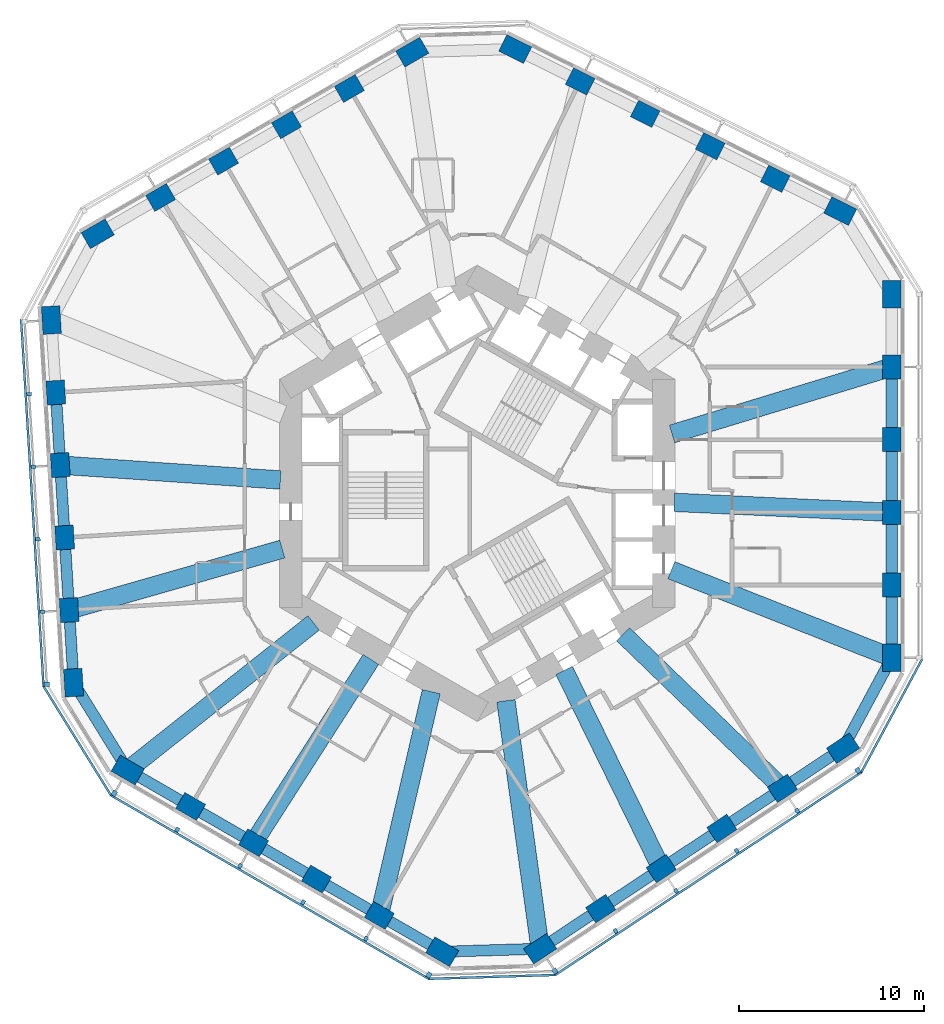
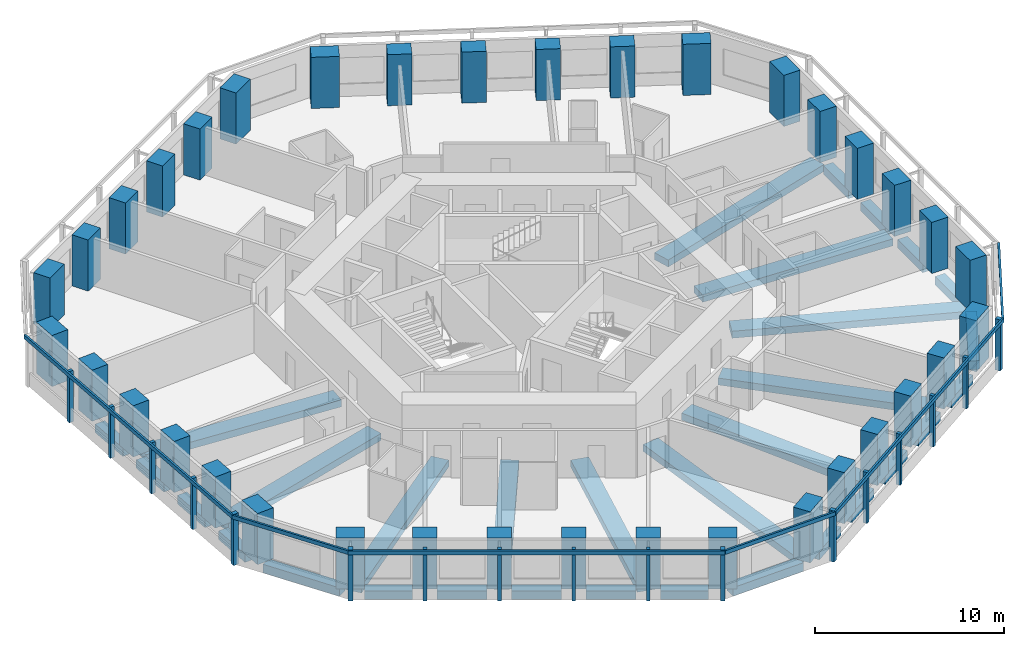
# One storey, part 1 of 12: 36 columns, 32 beams, 23 members, 6 elements without a shape of their own.
"""IFC4 building model written with IfcOpenShell, lengths in metres."""

from ifc_helpers import new_model, si_unit, direction, frame, origin, origin_2d, place, context, subcontext, project, spatial, rectangle, extrude, material, material_profile, profile_set, type_object, element, aggregate, save


model = new_model("IFC4")

# Units and contexts
model_context = context("Model", 3, precision=1e-05, world=origin(), true_north=direction((0.0, 1.0)))
body_context = subcontext(model_context, "Body", "Model", "MODEL_VIEW")
ifc_project = project(units=[si_unit("LENGTHUNIT", "METRE"), si_unit("AREAUNIT", "SQUARE_METRE"), si_unit("VOLUMEUNIT", "CUBIC_METRE"), si_unit("PLANEANGLEUNIT", "RADIAN"), si_unit("MASSUNIT", "GRAM", prefix="KILO")], contexts=[model_context])

# Site, building, storey
site_placement = place(None, origin())
site = spatial("IfcSite", under=ifc_project, at=site_placement, CompositionType="ELEMENT")
building_placement = place(site_placement, origin())
building = spatial("IfcBuilding", under=site, at=building_placement, Name="Vanh Sen Convention Tower", CompositionType="ELEMENT")
storey_placement = place(building_placement, frame((0.0, 0.0, 44.0)))
storey = spatial("IfcBuildingStorey", under=building, at=storey_placement, Name="L07", CompositionType="ELEMENT", Elevation=44.0)

# Columns
ifc_material_1 = material(Name="Concrete C80/95", Category="concrete")
ifc_material_profile_1 = material_profile(ifc_material_1, rectangle(XDim=1.300048828125, YDim=1.0, at=origin_2d()), Name="RC 1300X1000")
ifc_profile_set_1 = profile_set([ifc_material_profile_1], Name="Concrete C80/95")
column_type_1 = type_object("IfcColumnType", Name="Facade column 1300 x 1000 C80/95", PredefinedType="COLUMN", material=ifc_profile_set_1)
for number, where, z_axis, x_axis, name in (
    (1, (22.449951171875, -4.964599609375, 0.0), (0.0, 0.0, 1.0), (0.0, 1.0, 0.0), "Facade column 02 L07"),
    (2, (22.449951171875, -1.030029296875, 0.0), (0.0, 0.0, 1.0), (0.0, 1.0, 0.0), "Facade column 03 L07"),
    (3, (22.449951171875, 2.904541015625, 0.0), (0.0, 0.0, 1.0), (0.0, 1.0, 0.0), "Facade column 04 L07"),
    (4, (22.449951171875, 6.839111328125, 0.0), (0.0, 0.0, 1.0), (0.0, 1.0, 0.0), "Facade column 05 L07"),
    (5, (16.1376953125, 17.039794921875, 0.0), (0.0, 0.0, 1.0), (-0.894934361602, 0.44619781311, 0.0), "Facade column 08 L07"),
    (6, (12.616455078125, 18.79541015625, 0.0), (0.0, 0.0, 1.0), (-0.894934361602, 0.44619781311, 0.0), "Facade column 09 L07"),
    (7, (9.09521484375, 20.55078125, 0.0), (0.0, 0.0, 1.0), (-0.894934361602, 0.44619781311, 0.0), "Facade column 10 L07"),
    (8, (5.57421875, 22.306396484375, 0.0), (0.0, 0.0, 1.0), (-0.894934361602, 0.44619781311, 0.0), "Facade column 11 L07"),
    (9, (-6.925537109375, 21.924560546875, 0.0), (0.0, 0.0, 1.0), (-0.866025403784, -0.5, 0.0), "Facade column 14 L07"),
    (10, (-10.3330078125, 19.957275390625, 0.0), (0.0, 0.0, 1.0), (-0.866025403784, -0.5, 0.0), "Facade column 15 L07"),
    (11, (-13.740478515625, 17.989990234375, 0.0), (0.0, 0.0, 1.0), (-0.866025403784, -0.5, 0.0), "Facade column 16 L07"),
    (12, (-17.14794921875, 16.022705078125, 0.0), (0.0, 0.0, 1.0), (-0.866025403784, -0.5, 0.0), "Facade column 17 L07"),
    (13, (-22.82568359375, 5.455810546875, 0.0), (0.0, 0.0, 1.0), (0.061048539535, -0.998134798422, 0.0), "Facade column 20 L07"),
    (14, (-22.58544921875, 1.528564453125, 0.0), (0.0, 0.0, 1.0), (0.061048539535, -0.998134798422, 0.0), "Facade column 21 L07"),
    (15, (-22.34521484375, -2.398681640625, 0.0), (0.0, 0.0, 1.0), (0.061048539535, -0.998134798422, 0.0), "Facade column 22 L07"),
    (16, (-22.10498046875, -6.325927734375, 0.0), (0.0, 0.0, 1.0), (0.061048539535, -0.998134798422, 0.0), "Facade column 23 L07"),
    (17, (-15.5244140625, -16.9599609375, 0.0), (0.0, 0.0, 1.0), (0.866025403784, -0.5, 0.0), "Facade column 26 L07"),
    (18, (-12.1171875, -18.92724609375, 0.0), (0.0, 0.0, 1.0), (0.866025403784, -0.5, 0.0), "Facade column 27 L07"),
    (19, (-8.709716796875, -20.89453125, 0.0), (0.0, 0.0, 1.0), (0.866025403784, -0.5, 0.0), "Facade column 28 L07"),
    (20, (-5.302001953125, -22.86181640625, 0.0), (0.0, 0.0, 1.0), (0.866025403784, -0.5, 0.0), "Facade column 29 L07"),
    (21, (6.68798828125, -22.49560546875, 0.0), (0.0, 0.0, 1.0), (0.833885822067, 0.551936985312, 0.0), "Facade column 32 L07"),
    (22, (9.968994140625, -20.323974609375, 0.0), (0.0, 0.0, 1.0), (0.833885822067, 0.551936985312, 0.0), "Facade column 33 L07"),
    (23, (13.25, -18.152099609375, 0.0), (0.0, 0.0, 1.0), (0.833885822067, 0.551936985312, 0.0), "Facade column 34 L07"),
    (24, (16.531005859375, -15.980712890625, 0.0), (0.0, 0.0, 1.0), (0.833885822067, 0.551936985312, 0.0), "Facade column 35 L07"),
):
    element("IfcColumn", number, at=place(storey_placement, frame(where, z_axis=z_axis, x_axis=x_axis)), inside=storey, type_object=column_type_1, Name=name, PredefinedType="COLUMN", context=body_context, shape_type="SweptSolid", body=[
        extrude(rectangle(XDim=1.300048828125, YDim=1.0, at=origin_2d()), origin(), (0.0, 0.0, 1.0), 3.300048828125),
    ])
ifc_material_profile_2 = material_profile(ifc_material_1, rectangle(XDim=1.5, YDim=1.0, at=origin_2d()), Name="RC 1500X1000")
ifc_profile_set_2 = profile_set([ifc_material_profile_2], Name="Concrete C80/95")
column_type_2 = type_object("IfcColumnType", Name="Facade corner column 1500 x 1000 C80/95", PredefinedType="COLUMN", material=ifc_profile_set_2)
for number, where, z_axis, x_axis, name in (
    (25, (22.449951171875, -8.899169921875, 0.0), (0.0, 0.0, 1.0), (0.0, 1.0, 0.0), "Facade column 01 L07"),
    (26, (22.449951171875, 10.773681640625, 0.0), (0.0, 0.0, 1.0), (0.0, 1.0, 0.0), "Facade column 06 L07"),
    (27, (19.658935546875, 15.2841796875, 0.0), (0.0, 0.0, 1.0), (-0.894934361602, 0.44619781311, 0.0), "Facade column 07 L07"),
    (28, (2.052978515625, 24.06201171875, 0.0), (0.0, 0.0, 1.0), (-0.894934361602, 0.44619781311, 0.0), "Facade column 12 L07"),
    (29, (-3.51806640625, 23.891845703125, 0.0), (0.0, 0.0, 1.0), (-0.866025403784, -0.5, 0.0), "Facade column 13 L07"),
    (30, (-20.555419921875, 14.055419921875, 0.0), (0.0, 0.0, 1.0), (-0.866025403784, -0.5, 0.0), "Facade column 18 L07"),
    (31, (-23.06591796875, 9.383056640625, 0.0), (0.0, 0.0, 1.0), (0.061048539535, -0.998134798422, 0.0), "Facade column 19 L07"),
    (32, (-21.86474609375, -10.253173828125, 0.0), (0.0, 0.0, 1.0), (0.061048539535, -0.998134798422, 0.0), "Facade column 24 L07"),
    (33, (-18.931884765625, -14.99267578125, 0.0), (0.0, 0.0, 1.0), (0.866025403784, -0.5, 0.0), "Facade column 25 L07"),
    (34, (-1.894775390625, -24.8291015625, 0.0), (0.0, 0.0, 1.0), (0.866025403784, -0.5, 0.0), "Facade column 30 L07"),
    (35, (3.406982421875, -24.6669921875, 0.0), (0.0, 0.0, 1.0), (0.833885822067, 0.551936985312, 0.0), "Facade column 31 L07"),
    (36, (19.81201171875, -13.808837890625, 0.0), (0.0, 0.0, 1.0), (0.833885822067, 0.551936985312, 0.0), "Facade column 36 L07"),
):
    element("IfcColumn", number, at=place(storey_placement, frame(where, z_axis=z_axis, x_axis=x_axis)), inside=storey, type_object=column_type_2, Name=name, PredefinedType="COLUMN", context=body_context, shape_type="SweptSolid", body=[
        extrude(rectangle(XDim=1.5, YDim=1.0, at=origin_2d()), origin(), (0.0, 0.0, 1.0), 3.300048828125),
    ])

# Curtain wall, member
ifc_material_2 = material(Name="Concrete C50/60", Category="concrete")
curtain_wall_type = type_object("IfcCurtainWallType", Name="Outer skin hotel zone", PredefinedType="NOTDEFINED", material=ifc_material_2)
curtain_wall_1_placement = place(storey_placement, origin())
curtain_wall_1 = element("IfcCurtainWall", 37, at=curtain_wall_1_placement, inside=storey, type_object=curtain_wall_type, Name="OUTER SKIN W L07", PredefinedType="NOTDEFINED")
ifc_material_profile_3 = material_profile(ifc_material_2, rectangle(XDim=0.25, YDim=0.300048828125, at=origin_2d()), Name="Outer skin precast corner fin 250 x 300")
ifc_profile_set_3 = profile_set([ifc_material_profile_3], Name="Concrete C50/60")
member_type_1 = type_object("IfcMemberType", Name="Outer skin precast corner fin 250 x 300", PredefinedType="MULLION", material=ifc_profile_set_3)
member_1_placement = place(storey_placement, frame((-23.31201171875, -10.341796875, 0.0), z_axis=(0.0, 0.0, 1.0), x_axis=(0.061048539535, -0.998134798422, 0.0)))
member_1 = element("IfcMember", 38, at=member_1_placement, type_object=member_type_1, Name="OUTER SKIN CORNER FIN 6 W L07", PredefinedType="MULLION", context=body_context, shape_type="SweptSolid", body=[
    extrude(rectangle(XDim=0.25, YDim=0.300048828125, at=origin_2d()), origin(), (0.0, 0.0, 1.0), 3.300048828125),
])

# Curtain wall, members
curtain_wall_2_placement = place(storey_placement, origin())
curtain_wall_2 = element("IfcCurtainWall", 39, at=curtain_wall_2_placement, inside=storey, type_object=curtain_wall_type, Name="OUTER SKIN SW L07", PredefinedType="NOTDEFINED")
member_2_placement = place(storey_placement, frame((-19.656982421875, -16.248291015625, 0.0), z_axis=(0.0, 0.0, 1.0), x_axis=(0.866025403784, -0.5, 0.0)))
member_2 = element("IfcMember", 40, at=member_2_placement, type_object=member_type_1, Name="OUTER SKIN CORNER FIN 1 SW L07", PredefinedType="MULLION", context=body_context, shape_type="SweptSolid", body=[
    extrude(rectangle(XDim=0.25, YDim=0.300048828125, at=origin_2d()), origin(), (0.0, 0.0, 1.0), 3.300048828125),
])
member_3_placement = place(storey_placement, frame((-2.61962890625, -26.084716796875, 0.0), z_axis=(0.0, 0.0, 1.0), x_axis=(0.866025403784, -0.5, 0.0)))
member_3 = element("IfcMember", 41, at=member_3_placement, type_object=member_type_1, Name="OUTER SKIN CORNER FIN 6 SW L07", PredefinedType="MULLION", context=body_context, shape_type="SweptSolid", body=[
    extrude(rectangle(XDim=0.25, YDim=0.300048828125, at=origin_2d()), origin(), (0.0, 0.0, 1.0), 3.300048828125),
])

curtain_wall_3_placement = place(storey_placement, origin())
curtain_wall_3 = element("IfcCurtainWall", 42, at=curtain_wall_3_placement, inside=storey, type_object=curtain_wall_type, Name="OUTER SKIN SE L07", PredefinedType="NOTDEFINED")
member_4_placement = place(storey_placement, frame((4.207275390625, -25.876220703125, 0.0), z_axis=(0.0, 0.0, 1.0), x_axis=(0.833885822067, 0.551936985312, 0.0)))
member_4 = element("IfcMember", 43, at=member_4_placement, type_object=member_type_1, Name="OUTER SKIN CORNER FIN 1 SE L07", PredefinedType="MULLION", context=body_context, shape_type="SweptSolid", body=[
    extrude(rectangle(XDim=0.25, YDim=0.300048828125, at=origin_2d()), origin(), (0.0, 0.0, 1.0), 3.300048828125),
])
member_5_placement = place(storey_placement, frame((20.6123046875, -15.01806640625, 0.0), z_axis=(0.0, 0.0, 1.0), x_axis=(0.833885822067, 0.551936985312, 0.0)))
member_5 = element("IfcMember", 44, at=member_5_placement, type_object=member_type_1, Name="OUTER SKIN CORNER FIN 6 SE L07", PredefinedType="MULLION", context=body_context, shape_type="SweptSolid", body=[
    extrude(rectangle(XDim=0.25, YDim=0.300048828125, at=origin_2d()), origin(), (0.0, 0.0, 1.0), 3.300048828125),
])

# Member
ifc_material_profile_4 = material_profile(ifc_material_2, rectangle(XDim=0.199951171875, YDim=0.25, at=origin_2d()), Name="Outer skin precast fin 200 x 250")
ifc_profile_set_4 = profile_set([ifc_material_profile_4], Name="Concrete C50/60")
member_type_2 = type_object("IfcMemberType", Name="Outer skin precast fin 200 x 250", PredefinedType="MULLION", material=ifc_profile_set_4)
member_6_placement = place(storey_placement, frame((-24.27294921875, 5.3671875, 0.0), z_axis=(0.0, 0.0, 1.0), x_axis=(0.061048539535, -0.998134798422, 0.0)))
member_6 = element("IfcMember", 45, at=member_6_placement, type_object=member_type_2, Name="OUTER SKIN fin 2 W L07", PredefinedType="MULLION", context=body_context, shape_type="SweptSolid", body=[
    extrude(rectangle(XDim=0.199951171875, YDim=0.25, at=origin_2d()), origin(), (0.0, 0.0, 1.0), 3.300048828125),
])

member_7_placement = place(storey_placement, frame((-24.03271484375, 1.440185546875, 0.0), z_axis=(0.0, 0.0, 1.0), x_axis=(0.061048539535, -0.998134798422, 0.0)))
member_7 = element("IfcMember", 46, at=member_7_placement, type_object=member_type_2, Name="OUTER SKIN fin 3 W L07", PredefinedType="MULLION", context=body_context, shape_type="SweptSolid", body=[
    extrude(rectangle(XDim=0.199951171875, YDim=0.25, at=origin_2d()), origin(), (0.0, 0.0, 1.0), 3.300048828125),
])

member_8_placement = place(storey_placement, frame((-23.79248046875, -2.4873046875, 0.0), z_axis=(0.0, 0.0, 1.0), x_axis=(0.061048539535, -0.998134798422, 0.0)))
member_8 = element("IfcMember", 47, at=member_8_placement, type_object=member_type_2, Name="OUTER SKIN fin 4 W L07", PredefinedType="MULLION", context=body_context, shape_type="SweptSolid", body=[
    extrude(rectangle(XDim=0.199951171875, YDim=0.25, at=origin_2d()), origin(), (0.0, 0.0, 1.0), 3.300048828125),
])

member_9_placement = place(storey_placement, frame((-23.55224609375, -6.414306640625, 0.0), z_axis=(0.0, 0.0, 1.0), x_axis=(0.061048539535, -0.998134798422, 0.0)))
member_9 = element("IfcMember", 48, at=member_9_placement, type_object=member_type_2, Name="OUTER SKIN fin 5 W L07", PredefinedType="MULLION", context=body_context, shape_type="SweptSolid", body=[
    extrude(rectangle(XDim=0.199951171875, YDim=0.25, at=origin_2d()), origin(), (0.0, 0.0, 1.0), 3.300048828125),
])

member_10_placement = place(storey_placement, frame((-16.24951171875, -18.2158203125, 0.0), z_axis=(0.0, 0.0, 1.0), x_axis=(0.866025403784, -0.5, 0.0)))
member_10 = element("IfcMember", 49, at=member_10_placement, type_object=member_type_2, Name="OUTER SKIN fin 2 SW L07", PredefinedType="MULLION", context=body_context, shape_type="SweptSolid", body=[
    extrude(rectangle(XDim=0.199951171875, YDim=0.25, at=origin_2d()), origin(), (0.0, 0.0, 1.0), 3.300048828125),
])

member_11_placement = place(storey_placement, frame((-12.842041015625, -20.182861328125, 0.0), z_axis=(0.0, 0.0, 1.0), x_axis=(0.866025403784, -0.5, 0.0)))
member_11 = element("IfcMember", 50, at=member_11_placement, type_object=member_type_2, Name="OUTER SKIN fin 3 SW L07", PredefinedType="MULLION", context=body_context, shape_type="SweptSolid", body=[
    extrude(rectangle(XDim=0.199951171875, YDim=0.25, at=origin_2d()), origin(), (0.0, 0.0, 1.0), 3.300048828125),
])

member_12_placement = place(storey_placement, frame((-9.4345703125, -22.150146484375, 0.0), z_axis=(0.0, 0.0, 1.0), x_axis=(0.866025403784, -0.5, 0.0)))
member_12 = element("IfcMember", 51, at=member_12_placement, type_object=member_type_2, Name="OUTER SKIN fin 4 SW L07", PredefinedType="MULLION", context=body_context, shape_type="SweptSolid", body=[
    extrude(rectangle(XDim=0.199951171875, YDim=0.25, at=origin_2d()), origin(), (0.0, 0.0, 1.0), 3.300048828125),
])

member_13_placement = place(storey_placement, frame((-6.027099609375, -24.117431640625, 0.0), z_axis=(0.0, 0.0, 1.0), x_axis=(0.866025403784, -0.5, 0.0)))
member_13 = element("IfcMember", 52, at=member_13_placement, type_object=member_type_2, Name="OUTER SKIN fin 5 SW L07", PredefinedType="MULLION", context=body_context, shape_type="SweptSolid", body=[
    extrude(rectangle(XDim=0.199951171875, YDim=0.25, at=origin_2d()), origin(), (0.0, 0.0, 1.0), 3.300048828125),
])

member_14_placement = place(storey_placement, frame((7.48828125, -23.70458984375, 0.0), z_axis=(0.0, 0.0, 1.0), x_axis=(0.833885822067, 0.551936985312, 0.0)))
member_14 = element("IfcMember", 53, at=member_14_placement, type_object=member_type_2, Name="OUTER SKIN fin 2 SE L07", PredefinedType="MULLION", context=body_context, shape_type="SweptSolid", body=[
    extrude(rectangle(XDim=0.199951171875, YDim=0.25, at=origin_2d()), origin(), (0.0, 0.0, 1.0), 3.300048828125),
])

member_15_placement = place(storey_placement, frame((10.769287109375, -21.532958984375, 0.0), z_axis=(0.0, 0.0, 1.0), x_axis=(0.833885822067, 0.551936985312, 0.0)))
member_15 = element("IfcMember", 54, at=member_15_placement, type_object=member_type_2, Name="OUTER SKIN fin 3 SE L07", PredefinedType="MULLION", context=body_context, shape_type="SweptSolid", body=[
    extrude(rectangle(XDim=0.199951171875, YDim=0.25, at=origin_2d()), origin(), (0.0, 0.0, 1.0), 3.300048828125),
])

member_16_placement = place(storey_placement, frame((14.05029296875, -19.361328125, 0.0), z_axis=(0.0, 0.0, 1.0), x_axis=(0.833885822067, 0.551936985312, 0.0)))
member_16 = element("IfcMember", 55, at=member_16_placement, type_object=member_type_2, Name="OUTER SKIN fin 4 SE L07", PredefinedType="MULLION", context=body_context, shape_type="SweptSolid", body=[
    extrude(rectangle(XDim=0.199951171875, YDim=0.25, at=origin_2d()), origin(), (0.0, 0.0, 1.0), 3.300048828125),
])

member_17_placement = place(storey_placement, frame((17.331298828125, -17.189697265625, 0.0), z_axis=(0.0, 0.0, 1.0), x_axis=(0.833885822067, 0.551936985312, 0.0)))
member_17 = element("IfcMember", 56, at=member_17_placement, type_object=member_type_2, Name="OUTER SKIN fin 5 SE L07", PredefinedType="MULLION", context=body_context, shape_type="SweptSolid", body=[
    extrude(rectangle(XDim=0.199951171875, YDim=0.25, at=origin_2d()), origin(), (0.0, 0.0, 1.0), 3.300048828125),
])

ifc_material_profile_5 = material_profile(ifc_material_2, rectangle(XDim=0.1201171875, YDim=0.25, at=origin_2d()), Name="Outer skin precast spandrel band 250 x 120")
ifc_profile_set_5 = profile_set([ifc_material_profile_5], Name="Concrete C50/60")
member_type_3 = type_object("IfcMemberType", Name="Outer skin precast spandrel band 250 x 120", PredefinedType="USERDEFINED", material=ifc_profile_set_5)
member_18_placement = place(storey_placement, frame((-24.705322265625, 9.408203125, 3.175048828125), z_axis=(0.061050017989, -0.998134707995, 0.0), x_axis=(0.998134707995, 0.061050017989, 0.0)))
member_18 = element("IfcMember", 57, at=member_18_placement, type_object=member_type_3, Name="OUTER SKIN spandrel band W L07", ObjectType="TRANSOM", PredefinedType="USERDEFINED", context=body_context, shape_type="SweptSolid", body=[
    extrude(rectangle(XDim=0.1201171875, YDim=0.25, at=origin_2d()), origin(), (0.0, 0.0, 1.0), 19.923095703125),
])

aggregate(curtain_wall_1, [member_6, member_7, member_8, member_9, member_1, member_18])

# Curtain wall, member
curtain_wall_4_placement = place(storey_placement, origin())
curtain_wall_4 = element("IfcCurtainWall", 58, at=curtain_wall_4_placement, inside=storey, type_object=curtain_wall_type, Name="OUTER SKIN CH4 L07", PredefinedType="NOTDEFINED")
member_19_placement = place(storey_placement, frame((-23.49072265625, -10.4521484375, 3.175048828125), z_axis=(0.526196095141, -0.850363257354, 0.0), x_axis=(0.850363257354, 0.526196095141, 0.0)))
member_19 = element("IfcMember", 59, at=member_19_placement, type_object=member_type_3, Name="OUTER SKIN spandrel band CH4 L07", ObjectType="TRANSOM", PredefinedType="USERDEFINED", context=body_context, shape_type="SweptSolid", body=[
    extrude(rectangle(XDim=0.1201171875, YDim=0.25, at=origin_2d()), origin(), (0.0, 0.0, 1.0), 6.946044921875),
])
aggregate(curtain_wall_4, [member_19])

# Member
member_20_placement = place(storey_placement, frame((-19.85791015625, -16.34619140625, 3.175048828125), z_axis=(0.866028047459, -0.499995420993, 0.0), x_axis=(0.499995420993, 0.866028047459, 0.0)))
member_20 = element("IfcMember", 60, at=member_20_placement, type_object=member_type_3, Name="OUTER SKIN spandrel band SW L07", ObjectType="TRANSOM", PredefinedType="USERDEFINED", context=body_context, shape_type="SweptSolid", body=[
    extrude(rectangle(XDim=0.1201171875, YDim=0.25, at=origin_2d()), origin(), (0.0, 0.0, 1.0), 19.923095703125),
])

aggregate(curtain_wall_2, [member_2, member_10, member_11, member_12, member_13, member_3, member_20])

# Curtain wall, member
curtain_wall_5_placement = place(storey_placement, origin())
curtain_wall_5 = element("IfcCurtainWall", 61, at=curtain_wall_5_placement, inside=storey, type_object=curtain_wall_type, Name="OUTER SKIN CH5 L07", PredefinedType="NOTDEFINED")
member_21_placement = place(storey_placement, frame((-2.61328125, -26.294677734375, 3.175048828125), z_axis=(0.99953396928, 0.030526124156, 0.0), x_axis=(-0.030526124156, 0.99953396928, 0.0)))
member_21 = element("IfcMember", 62, at=member_21_placement, type_object=member_type_3, Name="OUTER SKIN spandrel band CH5 L07", ObjectType="TRANSOM", PredefinedType="USERDEFINED", context=body_context, shape_type="SweptSolid", body=[
    extrude(rectangle(XDim=0.1201171875, YDim=0.25, at=origin_2d()), origin(), (0.0, 0.0, 1.0), 6.830078125),
])
aggregate(curtain_wall_5, [member_21])

# Member
member_22_placement = place(storey_placement, frame((4.205078125, -26.099609375, 3.175048828125), z_axis=(0.833883851182, 0.551939962984, 0.0), x_axis=(-0.551939962984, 0.833883851182, 0.0)))
member_22 = element("IfcMember", 63, at=member_22_placement, type_object=member_type_3, Name="OUTER SKIN spandrel band SE L07", ObjectType="TRANSOM", PredefinedType="USERDEFINED", context=body_context, shape_type="SweptSolid", body=[
    extrude(rectangle(XDim=0.1201171875, YDim=0.25, at=origin_2d()), origin(), (0.0, 0.0, 1.0), 19.923095703125),
])

aggregate(curtain_wall_3, [member_4, member_14, member_15, member_16, member_17, member_5, member_22])

# Curtain wall, member
curtain_wall_6_placement = place(storey_placement, origin())
curtain_wall_6 = element("IfcCurtainWall", 64, at=curtain_wall_6_placement, inside=storey, type_object=curtain_wall_type, Name="OUTER SKIN CH6 L07", PredefinedType="NOTDEFINED")
member_23_placement = place(storey_placement, frame((20.797119140625, -15.117431640625, 3.175048828125), z_axis=(0.473324148816, 0.880888330123, 0.0), x_axis=(-0.880888330123, 0.473324148816, 0.0)))
member_23 = element("IfcMember", 65, at=member_23_placement, type_object=member_type_3, Name="OUTER SKIN spandrel band CH6 L07", ObjectType="TRANSOM", PredefinedType="USERDEFINED", context=body_context, shape_type="SweptSolid", body=[
    extrude(rectangle(XDim=0.1201171875, YDim=0.25, at=origin_2d()), origin(), (0.0, 0.0, 1.0), 6.9462890625),
])
aggregate(curtain_wall_6, [member_23])

# Beams
ifc_material_3 = material(Name="Concrete C50/60", Category="concrete")
ifc_material_profile_6 = material_profile(ifc_material_3, rectangle(XDim=1.0, YDim=0.449951171875, at=origin_2d()), Name="RC 1000X450")
ifc_profile_set_6 = profile_set([ifc_material_profile_6], Name="Concrete C50/60")
beam_type_1 = type_object("IfcBeamType", Name="Radial floor beam 1000 x 450", PredefinedType="BEAM", material=ifc_profile_set_6)
beam_1_placement = place(storey_placement, frame((22.138916015625, -8.77587890625, -0.47509765625), z_axis=(-0.929624483463, 0.368508235655, 0.0), x_axis=(-0.368508235655, -0.929624483463, 0.0)))
element("IfcBeam", 66, at=beam_1_placement, inside=storey, type_object=beam_type_1, Name="Radial beam 01 L07", PredefinedType="BEAM", context=body_context, shape_type="SweptSolid", body=[
    extrude(rectangle(XDim=1.0, YDim=0.449951171875, at=origin_2d()), origin(), (0.0, 0.0, 1.0), 12.50830078125),
])
beam_2_placement = place(storey_placement, frame((21.977783203125, -1.00830078125, -0.47509765625), z_axis=(-0.998949774884, 0.045818634401, 0.0), x_axis=(-0.045818634401, -0.998949774884, 0.0)))
element("IfcBeam", 67, at=beam_2_placement, inside=storey, type_object=beam_type_1, Name="Radial beam 02 L07", PredefinedType="BEAM", context=body_context, shape_type="SweptSolid", body=[
    extrude(rectangle(XDim=1.0, YDim=0.449951171875, at=origin_2d()), origin(), (0.0, 0.0, 1.0), 11.317626953125),
])
beam_3_placement = place(storey_placement, frame((22.1005859375, 6.732666015625, -0.47509765625), z_axis=(-0.95659843119, -0.291409405211, 0.0), x_axis=(0.291409405211, -0.95659843119, 0.0)))
element("IfcBeam", 68, at=beam_3_placement, inside=storey, type_object=beam_type_1, Name="Radial beam 03 L07", PredefinedType="BEAM", context=body_context, shape_type="SweptSolid", body=[
    extrude(rectangle(XDim=1.0, YDim=0.449951171875, at=origin_2d()), origin(), (0.0, 0.0, 1.0), 12.0751953125),
])
beam_4_placement = place(storey_placement, frame((-22.15185546875, 1.499267578125, -0.47509765625), z_axis=(0.997718156648, -0.067516515721, 0.0), x_axis=(0.067516515721, 0.997718156648, 0.0)))
element("IfcBeam", 69, at=beam_4_placement, inside=storey, type_object=beam_type_1, Name="Radial beam 11 L07", PredefinedType="BEAM", context=body_context, shape_type="SweptSolid", body=[
    extrude(rectangle(XDim=1.0, YDim=0.449951171875, at=origin_2d()), origin(), (0.0, 0.0, 1.0), 11.51708984375),
])
beam_5_placement = place(storey_placement, frame((-21.723876953125, -6.216796875, -0.47509765625), z_axis=(0.961405669021, 0.275134766203, 0.0), x_axis=(-0.275134766203, 0.961405669021, 0.0)))
element("IfcBeam", 70, at=beam_5_placement, inside=storey, type_object=beam_type_1, Name="Radial beam 12 L07", PredefinedType="BEAM", context=body_context, shape_type="SweptSolid", body=[
    extrude(rectangle(XDim=1.0, YDim=0.449951171875, at=origin_2d()), origin(), (0.0, 0.0, 1.0), 11.614501953125),
])
beam_6_placement = place(storey_placement, frame((-18.669677734375, -14.784912109375, -0.47509765625), z_axis=(0.783946075621, 0.620828922102, 0.0), x_axis=(-0.620828922102, 0.783946075621, 0.0)))
element("IfcBeam", 71, at=beam_6_placement, inside=storey, type_object=beam_type_1, Name="Radial beam 13 L07", PredefinedType="BEAM", context=body_context, shape_type="SweptSolid", body=[
    extrude(rectangle(XDim=1.0, YDim=0.449951171875, at=origin_2d()), origin(), (0.0, 0.0, 1.0), 12.508056640625),
])
beam_7_placement = place(storey_placement, frame((-11.8623046875, -18.529296875, -0.47509765625), z_axis=(0.539168157523, 0.842198134594, 0.0), x_axis=(-0.842198134594, 0.539168157523, 0.0)))
element("IfcBeam", 72, at=beam_7_placement, inside=storey, type_object=beam_type_1, Name="Radial beam 14 L07", PredefinedType="BEAM", context=body_context, shape_type="SweptSolid", body=[
    extrude(rectangle(XDim=1.0, YDim=0.449951171875, at=origin_2d()), origin(), (0.0, 0.0, 1.0), 11.31787109375),
])
beam_8_placement = place(storey_placement, frame((-5.219482421875, -22.505859375, -0.47509765625), z_axis=(0.225921069531, 0.974145610441, 0.0), x_axis=(-0.974145610441, 0.225921069531, 0.0)))
element("IfcBeam", 73, at=beam_8_placement, inside=storey, type_object=beam_type_1, Name="Radial beam 15 L07", PredefinedType="BEAM", context=body_context, shape_type="SweptSolid", body=[
    extrude(rectangle(XDim=1.0, YDim=0.449951171875, at=origin_2d()), origin(), (0.0, 0.0, 1.0), 12.0751953125),
])
beam_9_placement = place(storey_placement, frame((3.364501953125, -24.3603515625, -0.47509765625), z_axis=(-0.136807007089, 0.990597719971, 0.0), x_axis=(-0.990597719971, -0.136807007089, 0.0)))
element("IfcBeam", 74, at=beam_9_placement, inside=storey, type_object=beam_type_1, Name="Radial beam 16 L07", PredefinedType="BEAM", context=body_context, shape_type="SweptSolid", body=[
    extrude(rectangle(XDim=1.0, YDim=0.449951171875, at=origin_2d()), origin(), (0.0, 0.0, 1.0), 13.24853515625),
])
beam_10_placement = place(storey_placement, frame((9.777587890625, -19.933837890625, -0.47509765625), z_axis=(-0.440374700847, 0.897814080339, 0.0), x_axis=(-0.897814080339, -0.440374700847, 0.0)))
element("IfcBeam", 75, at=beam_10_placement, inside=storey, type_object=beam_type_1, Name="Radial beam 17 L07", PredefinedType="BEAM", context=body_context, shape_type="SweptSolid", body=[
    extrude(rectangle(XDim=1.0, YDim=0.449951171875, at=origin_2d()), origin(), (0.0, 0.0, 1.0), 11.516845703125),
])
beam_11_placement = place(storey_placement, frame((16.245849609375, -15.705078125, -0.47509765625), z_axis=(-0.718976471313, 0.695034411881, 0.0), x_axis=(-0.695034411881, -0.718976471313, 0.0)))
element("IfcBeam", 76, at=beam_11_placement, inside=storey, type_object=beam_type_1, Name="Radial beam 18 L07", PredefinedType="BEAM", context=body_context, shape_type="SweptSolid", body=[
    extrude(rectangle(XDim=1.0, YDim=0.449951171875, at=origin_2d()), origin(), (0.0, 0.0, 1.0), 11.614501953125),
])
ifc_material_profile_7 = material_profile(ifc_material_3, rectangle(XDim=0.60009765625, YDim=0.550048828125, at=origin_2d()), Name="RC 600X550")
ifc_profile_set_7 = profile_set([ifc_material_profile_7], Name="Concrete C50/60")
beam_type_2 = type_object("IfcBeamType", Name="Spandrel beam 600 x 550", PredefinedType="SPANDREL", material=ifc_profile_set_7)
beam_12_placement = place(storey_placement, frame((22.449951171875, -8.154296875, -0.52490234375), z_axis=(0.0, 1.0, 0.0), x_axis=(-1.0, 0.0, 0.0)))
element("IfcBeam", 77, at=beam_12_placement, inside=storey, type_object=beam_type_2, Name="Spandrel beam 01 L07", PredefinedType="SPANDREL", context=body_context, shape_type="SweptSolid", body=[
    extrude(rectangle(XDim=0.60009765625, YDim=0.550048828125, at=origin_2d()), origin(), (0.0, 0.0, 1.0), 2.544677734375),
])
for number, where, z_axis, x_axis, name in (
    (78, (22.449951171875, -4.319580078125, -0.52490234375), (0.0, 1.0, 0.0), (-1.0, 0.0, 0.0), "Spandrel beam 02 L07"),
    (79, (22.449951171875, -0.385009765625, -0.52490234375), (0.0, 1.0, 0.0), (-1.0, 0.0, 0.0), "Spandrel beam 03 L07"),
    (80, (22.449951171875, 3.549560546875, -0.52490234375), (0.0, 1.0, 0.0), (-1.0, 0.0, 0.0), "Spandrel beam 04 L07"),
    (81, (-22.7861328125, 4.81201171875, -0.52490234375), (0.061021844318, -0.998136430813, 0.0), (0.998136430813, 0.061021844318, 0.0), "Spandrel beam 20 L07"),
    (82, (-22.5458984375, 0.884765625, -0.52490234375), (0.061021844318, -0.998136430813, 0.0), (0.998136430813, 0.061021844318, 0.0), "Spandrel beam 21 L07"),
    (83, (-22.305908203125, -3.04248046875, -0.52490234375), (0.061113817246, -0.998130803723, 0.0), (0.998130803723, 0.061113817246, 0.0), "Spandrel beam 22 L07"),
):
    element("IfcBeam", number, at=place(storey_placement, frame(where, z_axis=z_axis, x_axis=x_axis)), inside=storey, type_object=beam_type_2, Name=name, PredefinedType="SPANDREL", context=body_context, shape_type="SweptSolid", body=[
        extrude(rectangle(XDim=0.60009765625, YDim=0.550048828125, at=origin_2d()), origin(), (0.0, 0.0, 1.0), 2.64453125),
    ])
beam_13_placement = place(storey_placement, frame((-22.065673828125, -6.9697265625, -0.52490234375), z_axis=(0.061022277531, -0.998136404328, 0.0), x_axis=(0.998136404328, 0.061022277531, 0.0)))
element("IfcBeam", 84, at=beam_13_placement, inside=storey, type_object=beam_type_2, Name="Spandrel beam 23 L07", PredefinedType="SPANDREL", context=body_context, shape_type="SweptSolid", body=[
    extrude(rectangle(XDim=0.60009765625, YDim=0.550048828125, at=origin_2d()), origin(), (0.0, 0.0, 1.0), 2.54443359375),
])
beam_14_placement = place(storey_placement, frame((-21.605224609375, -10.672607421875, -0.52490234375), z_axis=(0.526195204359, -0.850363808561, 0.0), x_axis=(0.850363808561, 0.526195204359, 0.0)))
element("IfcBeam", 85, at=beam_14_placement, inside=storey, type_object=beam_type_2, Name="Spandrel beam 24 L07", PredefinedType="SPANDREL", context=body_context, shape_type="SweptSolid", body=[
    extrude(rectangle(XDim=0.60009765625, YDim=0.550048828125, at=origin_2d()), origin(), (0.0, 0.0, 1.0), 4.58740234375),
])
beam_15_placement = place(storey_placement, frame((-18.286865234375, -15.365234375, -0.52490234375), z_axis=(0.866056180903, -0.499946688677, 0.0), x_axis=(0.499946688677, 0.866056180903, 0.0)))
element("IfcBeam", 86, at=beam_15_placement, inside=storey, type_object=beam_type_2, Name="Spandrel beam 25 L07", PredefinedType="SPANDREL", context=body_context, shape_type="SweptSolid", body=[
    extrude(rectangle(XDim=0.60009765625, YDim=0.550048828125, at=origin_2d()), origin(), (0.0, 0.0, 1.0), 2.544677734375),
])
beam_16_placement = place(storey_placement, frame((-14.9658203125, -17.282470703125, -0.52490234375), z_axis=(0.866007234284, -0.500031469177, 0.0), x_axis=(0.500031469177, 0.866007234284, 0.0)))
element("IfcBeam", 87, at=beam_16_placement, inside=storey, type_object=beam_type_2, Name="Spandrel beam 26 L07", PredefinedType="SPANDREL", context=body_context, shape_type="SweptSolid", body=[
    extrude(rectangle(XDim=0.60009765625, YDim=0.550048828125, at=origin_2d()), origin(), (0.0, 0.0, 1.0), 2.644287109375),
])
for number, where, z_axis, x_axis, name in (
    (88, (-11.55859375, -19.249755859375, -0.52490234375), (0.866030315638, -0.499991492324, 0.0), (0.499991492324, 0.866030315638, 0.0), "Spandrel beam 27 L07"),
    (89, (-8.15087890625, -21.217041015625, -0.52490234375), (0.866030315638, -0.499991492324, 0.0), (0.499991492324, 0.866030315638, 0.0), "Spandrel beam 28 L07"),
):
    element("IfcBeam", number, at=place(storey_placement, frame(where, z_axis=z_axis, x_axis=x_axis)), inside=storey, type_object=beam_type_2, Name=name, PredefinedType="SPANDREL", context=body_context, shape_type="SweptSolid", body=[
        extrude(rectangle(XDim=0.60009765625, YDim=0.550048828125, at=origin_2d()), origin(), (0.0, 0.0, 1.0), 2.64453125),
    ])
beam_17_placement = place(storey_placement, frame((-4.743408203125, -23.184326171875, -0.52490234375), z_axis=(0.866032197868, -0.499988232117, 0.0), x_axis=(0.499988232117, 0.866032197868, 0.0)))
element("IfcBeam", 90, at=beam_17_placement, inside=storey, type_object=beam_type_2, Name="Spandrel beam 29 L07", PredefinedType="SPANDREL", context=body_context, shape_type="SweptSolid", body=[
    extrude(rectangle(XDim=0.60009765625, YDim=0.550048828125, at=origin_2d()), origin(), (0.0, 0.0, 1.0), 2.54443359375),
])
beam_18_placement = place(storey_placement, frame((-1.4345703125, -24.81494140625, -0.52490234375), z_axis=(0.999534100542, 0.030521825872, 0.0), x_axis=(-0.030521825872, 0.999534100542, 0.0)))
element("IfcBeam", 91, at=beam_18_placement, inside=storey, type_object=beam_type_2, Name="Spandrel beam 30 L07", PredefinedType="SPANDREL", context=body_context, shape_type="SweptSolid", body=[
    extrude(rectangle(XDim=0.60009765625, YDim=0.550048828125, at=origin_2d()), origin(), (0.0, 0.0, 1.0), 4.38330078125),
])
beam_19_placement = place(storey_placement, frame((4.028076171875, -24.255859375, -0.52490234375), z_axis=(0.833905579906, 0.551907133313, 0.0), x_axis=(-0.551907133313, 0.833905579906, 0.0)))
element("IfcBeam", 92, at=beam_19_placement, inside=storey, type_object=beam_type_2, Name="Spandrel beam 31 L07", PredefinedType="SPANDREL", context=body_context, shape_type="SweptSolid", body=[
    extrude(rectangle(XDim=0.60009765625, YDim=0.550048828125, at=origin_2d()), origin(), (0.0, 0.0, 1.0), 2.54443359375),
])
beam_20_placement = place(storey_placement, frame((7.225830078125, -22.139404296875, -0.52490234375), z_axis=(0.833892212548, 0.551927330227, 0.0), x_axis=(-0.551927330227, 0.833892212548, 0.0)))
element("IfcBeam", 93, at=beam_20_placement, inside=storey, type_object=beam_type_2, Name="Spandrel beam 32 L07", PredefinedType="SPANDREL", context=body_context, shape_type="SweptSolid", body=[
    extrude(rectangle(XDim=0.60009765625, YDim=0.550048828125, at=origin_2d()), origin(), (0.0, 0.0, 1.0), 2.644287109375),
])
beam_21_placement = place(storey_placement, frame((10.5068359375, -19.968017578125, -0.52490234375), z_axis=(0.833849719202, 0.551991526916, 0.0), x_axis=(-0.551991526916, 0.833849719202, 0.0)))
element("IfcBeam", 94, at=beam_21_placement, inside=storey, type_object=beam_type_2, Name="Spandrel beam 33 L07", PredefinedType="SPANDREL", context=body_context, shape_type="SweptSolid", body=[
    extrude(rectangle(XDim=0.60009765625, YDim=0.550048828125, at=origin_2d()), origin(), (0.0, 0.0, 1.0), 2.64453125),
])
beam_22_placement = place(storey_placement, frame((13.787841796875, -17.796142578125, -0.52490234375), z_axis=(0.833892212548, 0.551927330227, 0.0), x_axis=(-0.551927330227, 0.833892212548, 0.0)))
element("IfcBeam", 95, at=beam_22_placement, inside=storey, type_object=beam_type_2, Name="Spandrel beam 34 L07", PredefinedType="SPANDREL", context=body_context, shape_type="SweptSolid", body=[
    extrude(rectangle(XDim=0.60009765625, YDim=0.550048828125, at=origin_2d()), origin(), (0.0, 0.0, 1.0), 2.644287109375),
])
beam_23_placement = place(storey_placement, frame((17.06884765625, -15.62451171875, -0.52490234375), z_axis=(0.833905579906, 0.551907133313, 0.0), x_axis=(-0.551907133313, 0.833905579906, 0.0)))
element("IfcBeam", 96, at=beam_23_placement, inside=storey, type_object=beam_type_2, Name="Spandrel beam 35 L07", PredefinedType="SPANDREL", context=body_context, shape_type="SweptSolid", body=[
    extrude(rectangle(XDim=0.60009765625, YDim=0.550048828125, at=origin_2d()), origin(), (0.0, 0.0, 1.0), 2.54443359375),
])
beam_24_placement = place(storey_placement, frame((20.04541015625, -13.37451171875, -0.52490234375), z_axis=(0.473290328657, 0.880906501735, 0.0), x_axis=(-0.880906501735, 0.473290328657, 0.0)))
element("IfcBeam", 97, at=beam_24_placement, inside=storey, type_object=beam_type_2, Name="Spandrel beam 36 L07", PredefinedType="SPANDREL", context=body_context, shape_type="SweptSolid", body=[
    extrude(rectangle(XDim=0.60009765625, YDim=0.550048828125, at=origin_2d()), origin(), (0.0, 0.0, 1.0), 4.58740234375),
])

save(model, "model.ifc")
